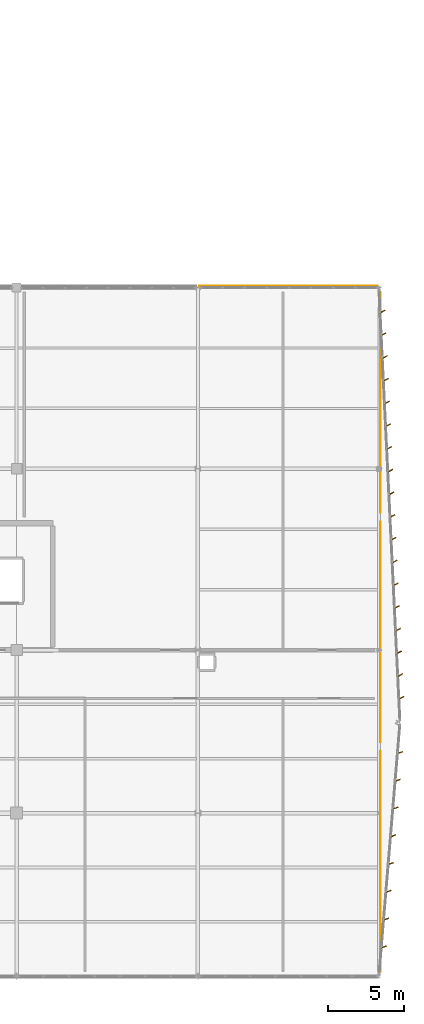
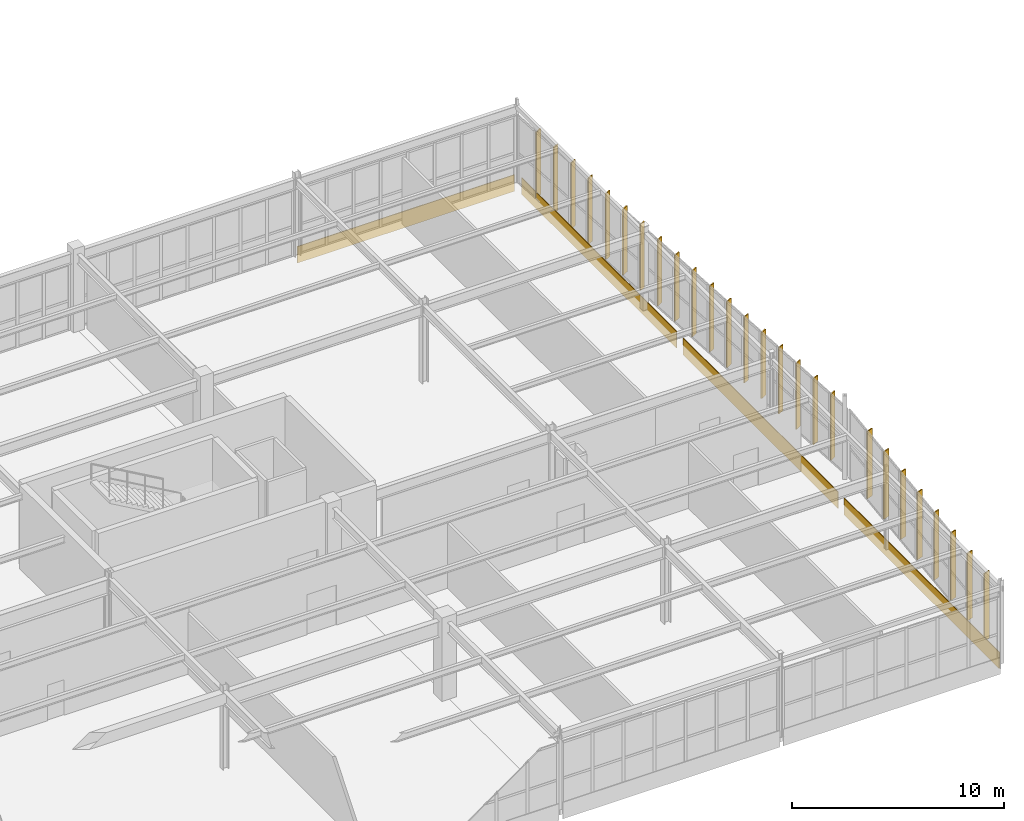
# One storey, part 220 of 226: 26 shading devices, 4 coverings.
"""IFC4 building model written with IfcOpenShell, lengths in metres."""

from ifc_helpers import new_model, si_unit, direction, frame, origin, origin_2d, place, context, subcontext, project, spatial, rectangle, extrude, material, layer, layer_set, type_object, element, save


model = new_model("IFC4")

# Units and contexts
model_context = context("Model", 3, precision=1e-05, world=origin(), true_north=direction((0.0, 1.0)))
body_context = subcontext(model_context, "Body", "Model", "MODEL_VIEW")
ifc_project = project(units=[si_unit("LENGTHUNIT", "METRE"), si_unit("AREAUNIT", "SQUARE_METRE"), si_unit("VOLUMEUNIT", "CUBIC_METRE"), si_unit("PLANEANGLEUNIT", "RADIAN"), si_unit("MASSUNIT", "GRAM", prefix="KILO")], contexts=[model_context])

# Site, building, storey
site_placement = place(None, origin())
site = spatial("IfcSite", under=ifc_project, at=site_placement, CompositionType="ELEMENT")
building_placement = place(site_placement, origin())
building = spatial("IfcBuilding", under=site, at=building_placement, Name="Tarnwether General Hospital", CompositionType="ELEMENT")
storey_placement = place(building_placement, frame((0.0, 0.0, 4.800048828125)))
storey = spatial("IfcBuildingStorey", under=building, at=storey_placement, Name="L01", CompositionType="ELEMENT", Elevation=4.800048828125)

# Coverings
ifc_material_1 = material(Name="Folded zinc-titanium cladding")
ifc_layer_1 = layer(ifc_material_1, 0.0400390625)
ifc_layer_set_1 = layer_set([ifc_layer_1], Name="Folded zinc-titanium cladding")
covering_type = type_object("IfcCoveringType", Name="CV-CLD-ZNC", PredefinedType="CLADDING", material=ifc_layer_set_1)
covering_placement = place(storey_placement, frame((186.0, 45.68994140625, -0.55517578125), z_axis=(0.0, 0.0, 1.0), x_axis=(1.0, 0.0, 0.0)))
element("IfcCovering", 1, at=covering_placement, inside=storey, type_object=covering_type, Name="Deconstructivist Faceted Zinc Spandrel Blade 008", PredefinedType="CLADDING", context=body_context, shape_type="SweptSolid", body=[
    extrude(rectangle(XDim=11.800048828125, YDim=0.0400390625, at=origin_2d()), origin(), (0.0, 0.0, 1.0), 0.949951171875),
])
for number, where, z_axis, x_axis, name in (
    (2, (192.090087890625, 7.60009765625, -0.55517578125), (0.0, 0.0, 1.0), (0.0, 1.0, 0.0), "Deconstructivist East Faceted Zinc Spandrel 017"),
    (3, (192.090087890625, 22.800048828125, -0.55517578125), (0.0, 0.0, 1.0), (0.0, 1.0, 0.0), "Deconstructivist East Faceted Zinc Spandrel 018"),
    (4, (192.090087890625, 38.0, -0.55517578125), (0.0, 0.0, 1.0), (0.0, 1.0, 0.0), "Deconstructivist East Faceted Zinc Spandrel 019"),
):
    element("IfcCovering", number, at=place(storey_placement, frame(where, z_axis=z_axis, x_axis=x_axis)), inside=storey, type_object=covering_type, Name=name, PredefinedType="CLADDING", context=body_context, shape_type="SweptSolid", body=[
        extrude(rectangle(XDim=14.60009765625, YDim=0.0400390625, at=origin_2d()), origin(), (0.0, 0.0, 1.0), 0.949951171875),
    ])

# Shading devices
ifc_material_2 = material(Name="Champagne-bronze anodised aluminium", Category="aluminium")
ifc_layer_2 = layer(ifc_material_2, 0.06005859375)
ifc_layer_set_2 = layer_set([ifc_layer_2], Name="Champagne-bronze anodised aluminium")
shading_device_type = type_object("IfcShadingDeviceType", Name="SH-FIN-BRZ", PredefinedType="USERDEFINED", material=ifc_layer_set_2)
for number, where, z_axis, x_axis, name in (
    (5, (192.237060546875, 44.012939453125, 0.0498046875), (0.0, 0.0, 1.0), (0.466077834922, -0.884743720969, 0.0), "Champagne-Bronze Brise-Soleil Fin 0288"),
    (6, (192.31005859375, 42.508056640625, 0.0498046875), (0.0, 0.0, 1.0), (0.466077834922, -0.884743720969, 0.0), "Champagne-Bronze Brise-Soleil Fin 0289"),
    (7, (192.384033203125, 41.00390625, 0.0498046875), (0.0, 0.0, 1.0), (0.466077834922, -0.884743720969, 0.0), "Champagne-Bronze Brise-Soleil Fin 0290"),
    (8, (192.45703125, 39.4990234375, 0.0498046875), (0.0, 0.0, 1.0), (0.466077834922, -0.884743720969, 0.0), "Champagne-Bronze Brise-Soleil Fin 0291"),
    (9, (192.530029296875, 37.9951171875, 0.0498046875), (0.0, 0.0, 1.0), (0.466077834922, -0.884743720969, 0.0), "Champagne-Bronze Brise-Soleil Fin 0292"),
    (10, (192.60302734375, 36.489990234375, 0.0498046875), (0.0, 0.0, 1.0), (0.466077834922, -0.884743720969, 0.0), "Champagne-Bronze Brise-Soleil Fin 0293"),
    (11, (192.676025390625, 34.986083984375, 0.0498046875), (0.0, 0.0, 1.0), (0.466077834922, -0.884743720969, 0.0), "Champagne-Bronze Brise-Soleil Fin 0294"),
    (12, (192.7490234375, 33.48095703125, 0.0498046875), (0.0, 0.0, 1.0), (0.466077834922, -0.884743720969, 0.0), "Champagne-Bronze Brise-Soleil Fin 0295"),
    (13, (192.822021484375, 31.97705078125, 0.0498046875), (0.0, 0.0, 1.0), (0.466077834922, -0.884743720969, 0.0), "Champagne-Bronze Brise-Soleil Fin 0296"),
    (14, (192.89599609375, 30.471923828125, 0.0498046875), (0.0, 0.0, 1.0), (0.466077834922, -0.884743720969, 0.0), "Champagne-Bronze Brise-Soleil Fin 0297"),
    (15, (192.968994140625, 28.968017578125, 0.0498046875), (0.0, 0.0, 1.0), (0.466077834922, -0.884743720969, 0.0), "Champagne-Bronze Brise-Soleil Fin 0298"),
    (16, (193.0419921875, 27.462890625, 0.0498046875), (0.0, 0.0, 1.0), (0.466077834922, -0.884743720969, 0.0), "Champagne-Bronze Brise-Soleil Fin 0299"),
    (17, (193.114990234375, 25.958984375, 0.0498046875), (0.0, 0.0, 1.0), (0.466077834922, -0.884743720969, 0.0), "Champagne-Bronze Brise-Soleil Fin 0300"),
    (18, (193.18798828125, 24.4541015625, 0.0498046875), (0.0, 0.0, 1.0), (0.466077834922, -0.884743720969, 0.0), "Champagne-Bronze Brise-Soleil Fin 0301"),
    (19, (193.260986328125, 22.949951171875, 0.0498046875), (0.0, 0.0, 1.0), (0.466077834922, -0.884743720969, 0.0), "Champagne-Bronze Brise-Soleil Fin 0302"),
    (20, (193.333984375, 21.445068359375, 0.0498046875), (0.0, 0.0, 1.0), (0.466077834922, -0.884743720969, 0.0), "Champagne-Bronze Brise-Soleil Fin 0303"),
    (21, (193.407958984375, 19.94091796875, 0.0498046875), (0.0, 0.0, 1.0), (0.466077834922, -0.884743720969, 0.0), "Champagne-Bronze Brise-Soleil Fin 0304"),
    (22, (193.48095703125, 18.43603515625, 0.0498046875), (0.0, 0.0, 1.0), (0.466077834922, -0.884743720969, 0.0), "Champagne-Bronze Brise-Soleil Fin 0305"),
):
    element("IfcShadingDevice", number, at=place(storey_placement, frame(where, z_axis=z_axis, x_axis=x_axis)), inside=storey, type_object=shading_device_type, Name=name, ObjectType="SOLAR FIN", PredefinedType="USERDEFINED", context=body_context, shape_type="SweptSolid", body=[
        extrude(rectangle(XDim=0.06005859375, YDim=0.360107421875, at=origin_2d()), origin(), (0.0, 0.0, 1.0), 3.797119140625),
    ])
for number, where, z_axis, x_axis, name in (
    (23, (193.39501953125, 14.81396484375, 0.050048828125), (0.0, 0.0, 1.0), (0.345953306528, -0.938251730455, 0.0), "Champagne-Bronze Brise-Soleil Fin 0306"),
    (24, (193.241943359375, 12.97509765625, 0.050048828125), (0.0, 0.0, 1.0), (0.345953306528, -0.938251730455, 0.0), "Champagne-Bronze Brise-Soleil Fin 0307"),
    (25, (193.089111328125, 11.136962890625, 0.050048828125), (0.0, 0.0, 1.0), (0.345953306528, -0.938251730455, 0.0), "Champagne-Bronze Brise-Soleil Fin 0308"),
    (26, (192.93505859375, 9.298095703125, 0.050048828125), (0.0, 0.0, 1.0), (0.345953306528, -0.938251730455, 0.0), "Champagne-Bronze Brise-Soleil Fin 0309"),
    (27, (192.781982421875, 7.458984375, 0.050048828125), (0.0, 0.0, 1.0), (0.345953306528, -0.938251730455, 0.0), "Champagne-Bronze Brise-Soleil Fin 0310"),
    (28, (192.62890625, 5.6201171875, 0.050048828125), (0.0, 0.0, 1.0), (0.345953306528, -0.938251730455, 0.0), "Champagne-Bronze Brise-Soleil Fin 0311"),
    (29, (192.47607421875, 3.781005859375, 0.050048828125), (0.0, 0.0, 1.0), (0.345953306528, -0.938251730455, 0.0), "Champagne-Bronze Brise-Soleil Fin 0312"),
    (30, (192.322021484375, 1.943115234375, 0.050048828125), (0.0, 0.0, 1.0), (0.345953306528, -0.938251730455, 0.0), "Champagne-Bronze Brise-Soleil Fin 0313"),
):
    element("IfcShadingDevice", number, at=place(storey_placement, frame(where, z_axis=z_axis, x_axis=x_axis)), inside=storey, type_object=shading_device_type, Name=name, ObjectType="SOLAR FIN", PredefinedType="USERDEFINED", context=body_context, shape_type="SweptSolid", body=[
        extrude(rectangle(XDim=0.06005859375, YDim=0.360107421875, at=origin_2d()), origin(), (0.0, 0.0, 1.0), 3.8759765625),
    ])

save(model, "model.ifc")
